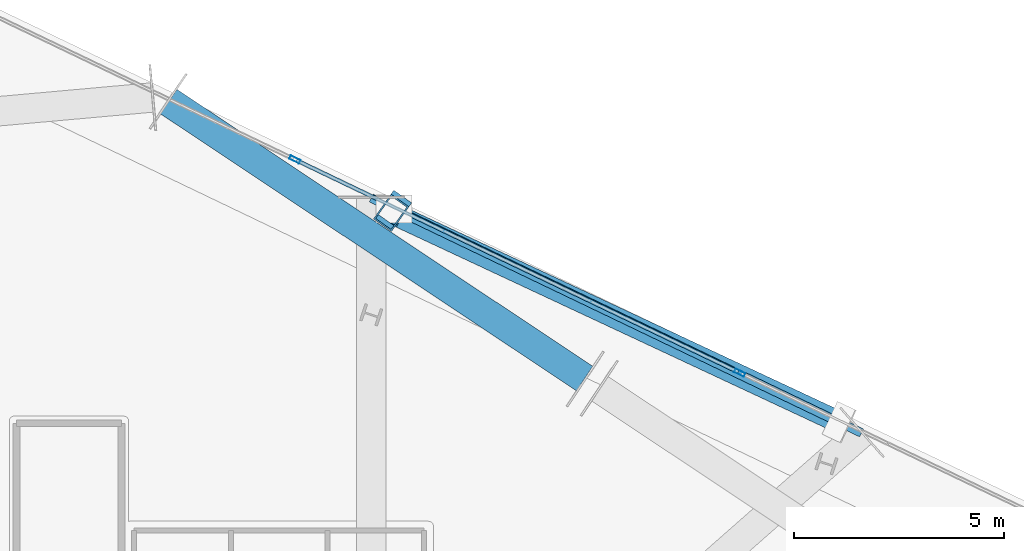
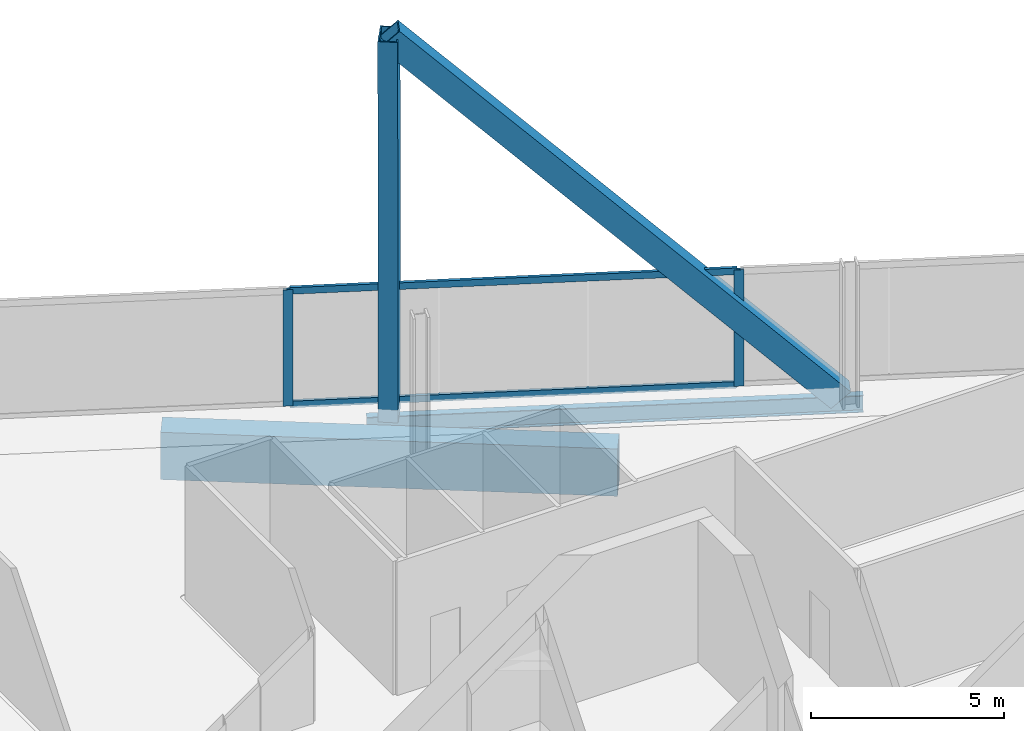
# One storey, part 14 of 24: 6 members, 2 beams, 1 element without a shape of its own.
"""IFC4 building model written with IfcOpenShell, lengths in metres."""

from ifc_helpers import new_model, si_unit, direction, frame, origin, origin_2d, place, context, subcontext, project, spatial, hollow_rectangle, i_section, extrude, material, material_profile, profile_set, type_object, element, aggregate, save


model = new_model("IFC4")

# Units and contexts
model_context = context("Model", 3, precision=1e-05, world=origin(), true_north=direction((0.0, 1.0)))
body_context = subcontext(model_context, "Body", "Model", "MODEL_VIEW")
ifc_project = project(units=[si_unit("LENGTHUNIT", "METRE"), si_unit("AREAUNIT", "SQUARE_METRE"), si_unit("VOLUMEUNIT", "CUBIC_METRE"), si_unit("PLANEANGLEUNIT", "RADIAN"), si_unit("MASSUNIT", "GRAM", prefix="KILO")], contexts=[model_context])

# Site, building, storey
site_placement = place(None, origin())
site = spatial("IfcSite", under=ifc_project, at=site_placement, CompositionType="ELEMENT")
building_placement = place(site_placement, origin())
building = spatial("IfcBuilding", under=site, at=building_placement, Name="Haldenkirk Collegiate Tower", CompositionType="ELEMENT")
storey_placement = place(building_placement, frame((0.0, 0.0, 244.199951171875)))
storey = spatial("IfcBuildingStorey", under=building, at=storey_placement, Name="L61", CompositionType="ELEMENT", Elevation=244.199951171875)

# Beams
ifc_material_1 = material(Name="Steel ASTM A992 Grade 50", Category="steel")
ifc_material_profile_1 = material_profile(ifc_material_1, i_section(OverallWidth=0.2099609375, OverallDepth=0.537109375, WebThickness=0.010986328125, FlangeThickness=0.017333984375, at=origin_2d()), Name="W21X68")
ifc_profile_set_1 = profile_set([ifc_material_profile_1], Name="Steel ASTM A992 Grade 50")
beam_type_1 = type_object("IfcBeamType", Name="BM-SPANDREL-W21X68", PredefinedType="SPANDREL", material=ifc_profile_set_1)
beam_1_placement = place(storey_placement, frame((54.852294921875, 42.670654296875, -0.66845703125), z_axis=(-0.901833041156, 0.432084674432, 0.0), x_axis=(-0.432084674432, -0.901833041156, 0.0)))
element("IfcBeam", 1, at=beam_1_placement, inside=storey, type_object=beam_type_1, Name="L61 outer facade edge beam 2", PredefinedType="SPANDREL", context=body_context, shape_type="SweptSolid", body=[
    extrude(i_section(OverallWidth=0.2099609375, OverallDepth=0.537109375, WebThickness=0.010986328125, FlangeThickness=0.017333984375, at=origin_2d()), origin(), (0.0, 0.0, 1.0), 12.931884765625),
])
ifc_material_2 = material(Name="Steel ASTM A572 Grade 50", Category="steel")
ifc_material_profile_2 = material_profile(ifc_material_2, hollow_rectangle(XDim=0.699951171875, YDim=1.5, WallThickness=0.06005859375, at=origin_2d()), Name="BOX1500X700X60")
ifc_profile_set_2 = profile_set([ifc_material_profile_2], Name="Steel ASTM A572 Grade 50")
beam_type_2 = type_object("IfcBeamType", Name="BM-TRANSFER-BOX1500X700X60", PredefinedType="BEAM", material=ifc_profile_set_2)
beam_2_placement = place(storey_placement, frame((48.266845703125, 43.96240234375, -1.14990234375), z_axis=(-0.832429330124, 0.554131221237, 0.0), x_axis=(-0.554131221237, -0.832429330124, 0.0)))
element("IfcBeam", 2, at=beam_2_placement, inside=storey, type_object=beam_type_2, Name="L61 sky-lobby perimeter transfer girder 07", PredefinedType="BEAM", context=body_context, shape_type="SweptSolid", body=[
    extrude(hollow_rectangle(XDim=0.699951171875, YDim=1.5, WallThickness=0.06005859375, at=origin_2d()), origin(), (0.0, 0.0, 1.0), 11.88525390625),
])

# Curtain wall, members
ifc_material_3 = material(Name="Anodised architectural bronze aluminium", Category="aluminium")
curtain_wall_type = type_object("IfcCurtainWallType", Name="CW-SYS4-SKYGARDEN", PredefinedType="USERDEFINED", material=ifc_material_3)
curtain_wall_placement = place(storey_placement, origin())
curtain_wall = element("IfcCurtainWall", 3, at=curtain_wall_placement, inside=storey, type_object=curtain_wall_type, Name="L61 Sky-garden tall bronze curtain wall", ObjectType="UNITISED CURTAIN WALL", PredefinedType="USERDEFINED")
ifc_material_profile_3 = material_profile(ifc_material_3, hollow_rectangle(XDim=0.090087890625, YDim=0.260009765625, WallThickness=0.0048828125, at=origin_2d()), Name="CW-MUL-04")
ifc_profile_set_3 = profile_set([ifc_material_profile_3], Name="Anodised architectural bronze aluminium")
member_type_1 = type_object("IfcMemberType", Name="CW-MUL-04", PredefinedType="MULLION", material=ifc_profile_set_3)
member_1_placement = place(storey_placement, frame((41.37353515625, 49.173095703125, 0.0), z_axis=(0.0, 0.0, 1.0), x_axis=(0.432084272206, 0.90183323387, 0.0)))
member_1 = element("IfcMember", 4, at=member_1_placement, type_object=member_type_1, Name="CW-04 mullion 2", PredefinedType="MULLION", context=body_context, shape_type="SweptSolid", body=[
    extrude(hollow_rectangle(XDim=0.090087890625, YDim=0.260009765625, WallThickness=0.0048828125, at=origin_2d()), origin(), (0.0, 0.0, 1.0), 3.68798828125),
])
member_2_placement = place(storey_placement, frame((51.955078125, 44.103271484375, 0.0), z_axis=(0.0, 0.0, 1.0), x_axis=(0.432084272206, 0.90183323387, 0.0)))
member_2 = element("IfcMember", 5, at=member_2_placement, type_object=member_type_1, Name="CW-04 mullion 3", PredefinedType="MULLION", context=body_context, shape_type="SweptSolid", body=[
    extrude(hollow_rectangle(XDim=0.090087890625, YDim=0.260009765625, WallThickness=0.0048828125, at=origin_2d()), origin(), (0.0, 0.0, 1.0), 3.68798828125),
])
ifc_material_profile_4 = material_profile(ifc_material_3, hollow_rectangle(XDim=0.090087890625, YDim=0.2099609375, WallThickness=0.0048828125, at=origin_2d()), Name="CW-TRN-04")
ifc_profile_set_4 = profile_set([ifc_material_profile_4], Name="Anodised architectural bronze aluminium")
member_type_2 = type_object("IfcMemberType", Name="CW-TRN-04", PredefinedType="USERDEFINED", material=ifc_profile_set_4)
member_3_placement = place(storey_placement, frame((41.4140625, 49.153564453125, 0.045166015625), z_axis=(0.901832029777, -0.432086785343, 0.0), x_axis=(0.432086785343, 0.901832029777, 0.0)))
member_3 = element("IfcMember", 6, at=member_3_placement, type_object=member_type_2, Name="CW-04 transom 2.1", ObjectType="TRANSOM", PredefinedType="USERDEFINED", context=body_context, shape_type="SweptSolid", body=[
    extrude(hollow_rectangle(XDim=0.090087890625, YDim=0.2099609375, WallThickness=0.0048828125, at=origin_2d()), origin(), (0.0, 0.0, 1.0), 11.6435546875),
])
member_4_placement = place(storey_placement, frame((41.4140625, 49.153564453125, 3.64306640625), z_axis=(0.901832029777, -0.432086785343, 0.0), x_axis=(0.432086785343, 0.901832029777, 0.0)))
member_4 = element("IfcMember", 7, at=member_4_placement, type_object=member_type_2, Name="CW-04 transom 2.2", ObjectType="TRANSOM", PredefinedType="USERDEFINED", context=body_context, shape_type="SweptSolid", body=[
    extrude(hollow_rectangle(XDim=0.090087890625, YDim=0.2099609375, WallThickness=0.0048828125, at=origin_2d()), origin(), (0.0, 0.0, 1.0), 11.6435546875),
])
aggregate(curtain_wall, [member_1, member_2, member_3, member_4])

# Members
ifc_material_profile_5 = material_profile(ifc_material_2, hollow_rectangle(XDim=0.52001953125, YDim=0.719970703125, WallThickness=0.035888671875, at=origin_2d()), Name="BOX720X520X36")
ifc_profile_set_5 = profile_set([ifc_material_profile_5], Name="Steel ASTM A572 Grade 50")
member_type_3 = type_object("IfcMemberType", Name="MBR-MEGABRACE-BOX720X520X36", PredefinedType="BRACE", material=ifc_profile_set_5)
member_5_placement = place(storey_placement, frame((54.31103515625, 42.929931640625, -0.409912109375), z_axis=(-0.630325695163, 0.294671443942, 0.718232732575), x_axis=(-0.423498412831, -0.905896845303, 0.0)))
element("IfcMember", 8, at=member_5_placement, inside=storey, type_object=member_type_3, Name="Perimeter Mega Brace Z5 L61-L63 EL", PredefinedType="BRACE", context=body_context, shape_type="SweptSolid", body=[
    extrude(hollow_rectangle(XDim=0.52001953125, YDim=0.719970703125, WallThickness=0.035888671875, at=origin_2d()), origin(), (0.0, 0.0, 1.0), 16.888427734375),
])
member_6_placement = place(storey_placement, frame((43.731201171875, 47.9990234375, -0.409912109375), z_axis=(-0.005393855255, -0.007627877394, 0.999956359954), x_axis=(0.816489949341, -0.577359647555, 0.0)))
element("IfcMember", 9, at=member_6_placement, inside=storey, type_object=member_type_3, Name="Perimeter Mega Brace Z5 L61-L63 ER", PredefinedType="BRACE", context=body_context, shape_type="SweptSolid", body=[
    extrude(hollow_rectangle(XDim=0.52001953125, YDim=0.719970703125, WallThickness=0.035888671875, at=origin_2d()), origin(), (0.0, 0.0, 1.0), 12.13037109375),
])

save(model, "model.ifc")
